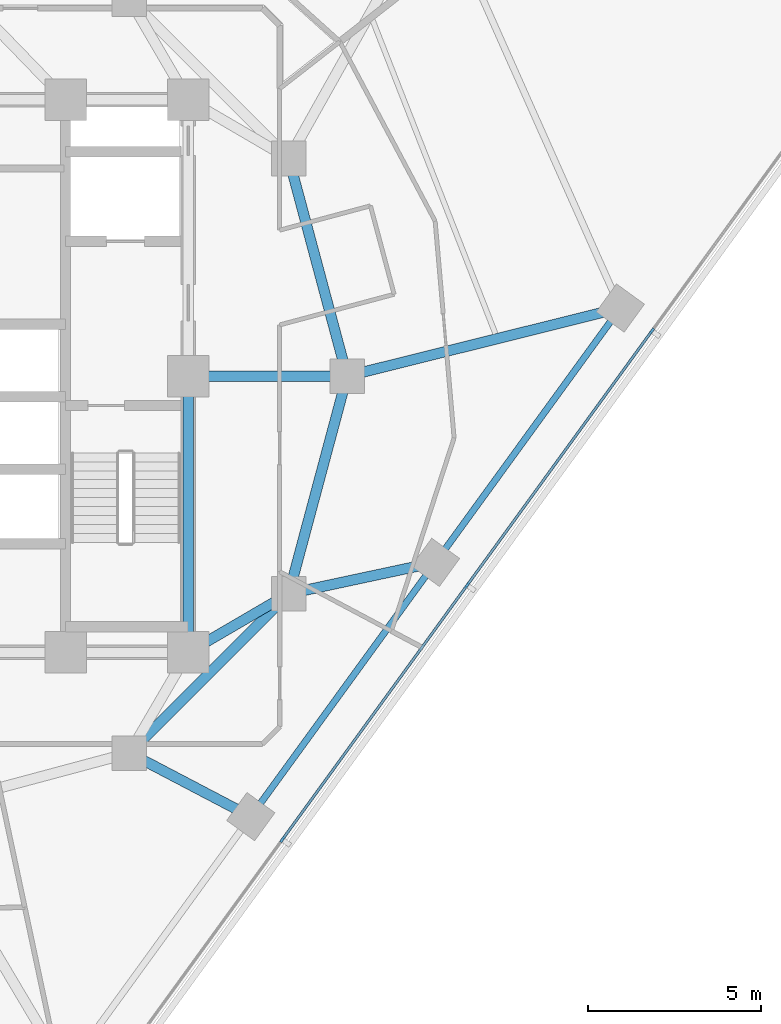
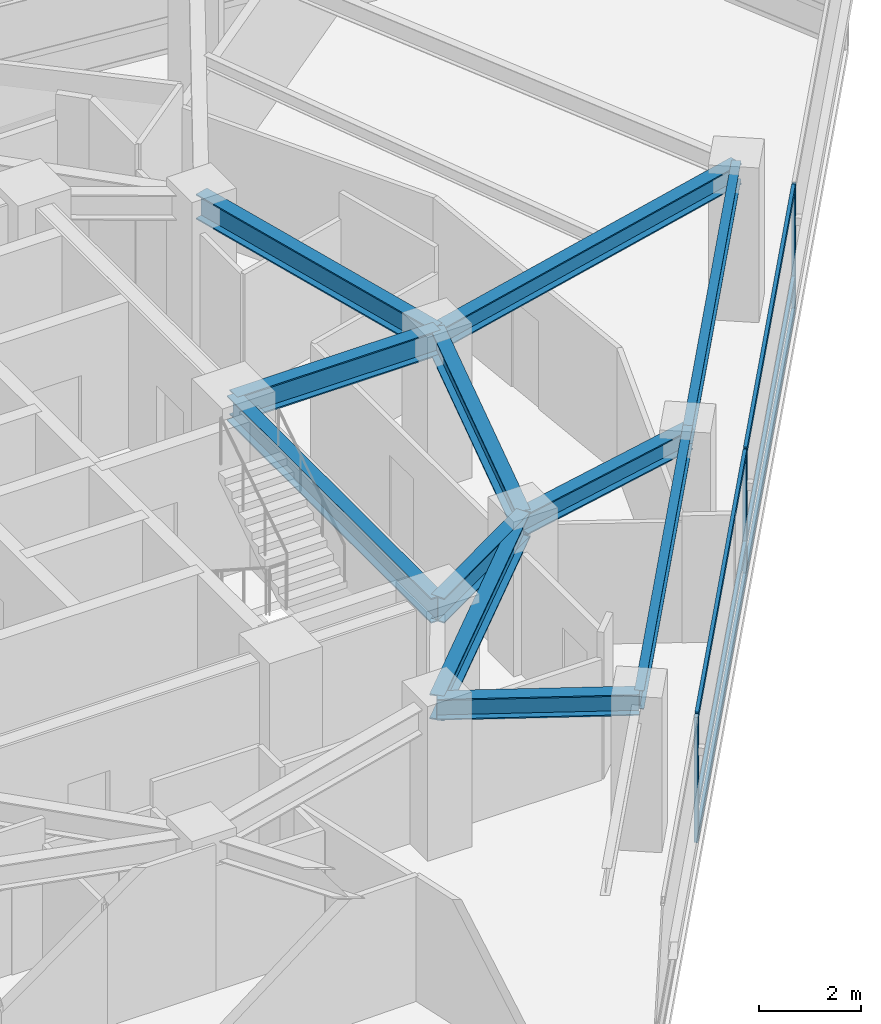
# One storey, part 4 of 14: 11 beams, 9 members, 1 element without a shape of its own.
"""IFC4 building model written with IfcOpenShell, lengths in metres."""

import ifcopenshell
import ifcopenshell.guid

model = None  # the IFC model being written
_history = None  # IfcOwnerHistory: only IFC2X3 demands one
_inside = {}  # id of a spatial element -> (the spatial element, [elements in it])
_under = {}  # id of a project, library or spatial element -> (it, [spatial elements below it])
_declared = {}  # id of a project -> (the project, [libraries it declares])
_typed = {}  # id of a type object -> (the type object, [elements of that type])
_made_of = {}  # id of a material, layer set ... -> (it, [elements and type objects made of it])


def new_model(schema):
    """Start an empty IFC model of exactly this schema.

    Asked for "IFC4X3", IfcOpenShell would pick the latest addendum, in which some entities
    have other attributes; the version numbers below select the first issue.
    IFC2X3 requires an IfcOwnerHistory on every rooted entity: one is made here for all.
    """
    global model, _history
    if schema == "IFC4X3":
        model = ifcopenshell.file(schema_version=(4, 3, 0, 0))
    else:
        model = ifcopenshell.file(schema=schema)
    _inside.clear()
    _under.clear()
    _declared.clear()
    _typed.clear()
    _made_of.clear()
    _history = None
    if model.schema == "IFC2X3":
        org = make("IfcOrganization", Name="unknown")
        user = make(
            "IfcPersonAndOrganization",
            ThePerson=make("IfcPerson", FamilyName="unknown"),
            TheOrganization=org,
        )
        app = make(
            "IfcApplication",
            ApplicationDeveloper=org,
            Version="unknown",
            ApplicationFullName="unknown",
            ApplicationIdentifier="unknown",
        )
        _history = make(
            "IfcOwnerHistory",
            OwningUser=user,
            OwningApplication=app,
            ChangeAction="ADDED",
            CreationDate=0,
        )
    return model


def make(cls, **values):
    """One entity of the class cls with the attributes given. An attribute that is None is left unset."""
    return model.create_entity(
        cls, **{name: value for name, value in values.items() if value is not None}
    )


def rooted(cls, **values):
    """An entity with a GlobalId (a new one), such as an element, a storey or a relation."""
    return make(cls, GlobalId=ifcopenshell.guid.new(), OwnerHistory=_history, **values)


def si_unit(unit_type, name, prefix=None):
    """IfcSIUnit, for example si_unit("LENGTHUNIT", "METRE", prefix="MILLI")."""
    return make("IfcSIUnit", UnitType=unit_type, Prefix=prefix, Name=name)


def assignment(units):
    """IfcUnitAssignment: the units of a project."""
    return None if units is None else make("IfcUnitAssignment", Units=units)


def point(xyz):
    """IfcCartesianPoint."""
    return None if xyz is None else make("IfcCartesianPoint", Coordinates=xyz)


def direction(xyz):
    """IfcDirection."""
    return None if xyz is None else make("IfcDirection", DirectionRatios=xyz)


def frame(location, z_axis=None, x_axis=None):
    """IfcAxis2Placement3D, a coordinate frame: its origin and axes. An axis left out is left unset."""
    return make(
        "IfcAxis2Placement3D",
        Location=point(location),
        Axis=direction(z_axis),
        RefDirection=direction(x_axis),
    )


def frame_2d(location, x_axis=None):
    """IfcAxis2Placement2D, a coordinate frame in the plane: its origin and x axis."""
    return make(
        "IfcAxis2Placement2D", Location=point(location), RefDirection=direction(x_axis)
    )


def origin():
    """The frame at (0, 0, 0) with its axes left unset."""
    return frame((0.0, 0.0, 0.0))


def origin_2d():
    """The frame at (0, 0) in the plane with its x axis left unset."""
    return frame_2d((0.0, 0.0))


def place(relative_to, where):
    """IfcLocalPlacement: puts the frame where relative to a parent placement (None: the world)."""
    return make(
        "IfcLocalPlacement", PlacementRelTo=relative_to, RelativePlacement=where
    )


def context(
    kind, dimensions, precision=None, world=None, true_north=None, identifier=None
):
    """IfcGeometricRepresentationContext, for example the 3D "Model" context."""
    return make(
        "IfcGeometricRepresentationContext",
        ContextIdentifier=identifier,
        ContextType=kind,
        CoordinateSpaceDimension=dimensions,
        Precision=precision,
        WorldCoordinateSystem=world,
        TrueNorth=true_north,
    )


def subcontext(parent, identifier, kind, view, scale=None):
    """IfcGeometricRepresentationSubContext, for example "Body" below "Model"."""
    return make(
        "IfcGeometricRepresentationSubContext",
        ContextIdentifier=identifier,
        ContextType=kind,
        ParentContext=parent,
        TargetScale=scale,
        TargetView=view,
    )


def project(units=None, contexts=None):
    """IfcProject with its units and contexts."""
    return rooted(
        "IfcProject",
        Name="project",
        RepresentationContexts=contexts,
        UnitsInContext=assignment(units),
    )


def spatial(cls, under=None, at=None, **own):
    """A site, building, storey or space (cls), placed at a placement, below another one or the project."""
    s = rooted(cls, ObjectPlacement=at, **own)
    if under is not None:
        _under.setdefault(under.id(), (under, []))[1].append(s)
    return s


def profile(cls, at=None, kind="AREA", **sizes):
    """A parametric profile (cls). Its sizes go by their IFC names, for example OverallWidth=200.0."""
    return make(cls, ProfileType=kind, Position=at, **sizes)


def rectangle(**sizes):
    """IfcRectangleProfileDef."""
    return profile("IfcRectangleProfileDef", **sizes)


def i_section(**sizes):
    """IfcIShapeProfileDef."""
    return profile("IfcIShapeProfileDef", **sizes)


def extrude(swept, where, along, depth):
    """IfcExtrudedAreaSolid: the profile swept, set in the frame where, extruded along a direction by depth."""
    return make(
        "IfcExtrudedAreaSolid",
        SweptArea=swept,
        Position=where,
        ExtrudedDirection=direction(along),
        Depth=depth,
    )


def shape(context_of_items, identifier, shape_type, items):
    """IfcShapeRepresentation: the items that make up one representation, for example the "Body"."""
    return make(
        "IfcShapeRepresentation",
        ContextOfItems=context_of_items,
        RepresentationIdentifier=identifier,
        RepresentationType=shape_type,
        Items=items,
    )


def material(Name=None, Category=None):
    """IfcMaterial."""
    return make("IfcMaterial", Name=Name, Category=Category)


def layer(
    of_material, thickness, ventilated=None, Name=None, Category=None, Priority=None
):
    """IfcMaterialLayer: one layer of a wall or slab, of a material (None: an air gap)."""
    return make(
        "IfcMaterialLayer",
        Material=of_material,
        LayerThickness=thickness,
        IsVentilated=ventilated,
        Name=Name,
        Category=Category,
        Priority=Priority,
    )


def layer_set(layers, Name=None):
    """IfcMaterialLayerSet."""
    return make("IfcMaterialLayerSet", MaterialLayers=layers, LayerSetName=Name)


def material_profile(
    of_material, cross_section, Name=None, Category=None, Priority=None
):
    """IfcMaterialProfile: a cross section and its material."""
    return make(
        "IfcMaterialProfile",
        Name=Name,
        Material=of_material,
        Profile=cross_section,
        Priority=Priority,
        Category=Category,
    )


def profile_set(profiles, Name=None, composite=None):
    """IfcMaterialProfileSet."""
    return make(
        "IfcMaterialProfileSet",
        Name=Name,
        MaterialProfiles=profiles,
        CompositeProfile=composite,
    )


def made_of(thing, what):
    """Note that an element or type object is made of a material, layer set ...; save() writes the relation."""
    if what is not None:
        _made_of.setdefault(what.id(), (what, []))[1].append(thing)
    return thing


def type_object(cls, material=None, **own):
    """A type object (cls), such as IfcWallType, which elements share."""
    return made_of(rooted(cls, **own), material)


def element(
    cls,
    number,
    at=None,
    inside=None,
    cuts=None,
    type_object=None,
    material=None,
    context=None,
    identifier="Body",
    shape_type=None,
    held_by="IfcProductDefinitionShape",
    body=None,
    shapes=None,
    **own,
):
    """One element of the class cls, such as IfcWall. Its Tag is "e" and its number.

    at: its placement. inside: the storey or other place that contains it. cuts: it is an
    opening in that element (IfcRelVoidsElement). A single representation is given by context,
    identifier, shape_type and body (its items); several are given by shapes. held_by: the class
    of the entity that holds the representations. save() writes the other relations.
    """
    e = rooted(cls, Tag="e%d" % number, ObjectPlacement=at, **own)
    if body is not None:
        shapes = [shape(context, identifier, shape_type, body)]
    if shapes is not None:
        e.Representation = make(held_by, Representations=shapes)
    if inside is not None:
        _inside.setdefault(inside.id(), (inside, []))[1].append(e)
    if cuts is not None:
        rooted(
            "IfcRelVoidsElement", RelatingBuildingElement=cuts, RelatedOpeningElement=e
        )
    if type_object is not None:
        _typed.setdefault(type_object.id(), (type_object, []))[1].append(e)
    return made_of(e, material)


def aggregate(whole, parts):
    """IfcRelAggregates: a whole, such as a stair, and the parts it consists of."""
    return rooted("IfcRelAggregates", RelatingObject=whole, RelatedObjects=parts)


def save(model, path):
    """Write the relations noted so far, then the file.

    IfcRelAggregates (storeys below a building ...), IfcRelContainedInSpatialStructure (elements
    in a storey), IfcRelDefinesByType, IfcRelAssociatesMaterial and IfcRelDeclares: one each for
    every whole, place, type object, material and project.
    """
    for whole, parts in _under.values():
        aggregate(whole, parts)
    for where, things in _inside.values():
        rooted(
            "IfcRelContainedInSpatialStructure",
            RelatedElements=things,
            RelatingStructure=where,
        )
    for kind, things in _typed.values():
        rooted("IfcRelDefinesByType", RelatedObjects=things, RelatingType=kind)
    for what, things in _made_of.values():
        rooted("IfcRelAssociatesMaterial", RelatedObjects=things, RelatingMaterial=what)
    for by, libraries in _declared.values():
        rooted("IfcRelDeclares", RelatingContext=by, RelatedDefinitions=libraries)
    model.write(path)


model = new_model("IFC4")

# Units and contexts
model_context = context("Model", 3, precision=1e-05, world=origin(), true_north=direction((0.0, 1.0)))
body_context = subcontext(model_context, "Body", "Model", "MODEL_VIEW")
ifc_project = project(units=[si_unit("LENGTHUNIT", "METRE"), si_unit("AREAUNIT", "SQUARE_METRE"), si_unit("VOLUMEUNIT", "CUBIC_METRE"), si_unit("PLANEANGLEUNIT", "RADIAN"), si_unit("MASSUNIT", "GRAM", prefix="KILO")], contexts=[model_context])

# Site, building, storey
site_placement = place(None, origin())
site = spatial("IfcSite", under=ifc_project, at=site_placement, CompositionType="ELEMENT")
building_placement = place(site_placement, origin())
building = spatial("IfcBuilding", under=site, at=building_placement, Name="Terralouvre Media Tower", CompositionType="ELEMENT")
storey_placement = place(building_placement, frame((0.0, 0.0, 218.89990234375)))
storey = spatial("IfcBuildingStorey", under=building, at=storey_placement, Name="L56", CompositionType="ELEMENT", Elevation=218.89990234375)

# Curtain wall, members
ifc_material_1 = material(Name="Low-iron laminated double glazing with solar-control coating", Category="glass")
ifc_layer = layer(ifc_material_1, 0.1650390625, Name="Upper Executive Tower Curtain Wall CW-05")
ifc_layer_set = layer_set([ifc_layer], Name="Low-iron laminated double glazing with solar-control coating")
curtain_wall_type = type_object("IfcCurtainWallType", Name="Upper Executive Tower Curtain Wall CW-05", PredefinedType="NOTDEFINED", material=ifc_layer_set)
curtain_wall_placement = place(storey_placement, origin())
curtain_wall = element("IfcCurtainWall", 1, at=curtain_wall_placement, inside=storey, type_object=curtain_wall_type, Name="L56 Facade Curtain Wall F0", PredefinedType="NOTDEFINED")
ifc_material_2 = material(Name="Anodised extruded aluminium 6063-T6", Category="aluminium")
ifc_material_profile_1 = material_profile(ifc_material_2, rectangle(XDim=0.074951171875, YDim=0.14990234375, at=origin_2d()), Name="ALU 75x150")
ifc_profile_set_1 = profile_set([ifc_material_profile_1], Name="Anodised extruded aluminium 6063-T6")
member_type_1 = type_object("IfcMemberType", Name="Curtain-Wall Horizontal Transom TR-150", PredefinedType="USERDEFINED", material=ifc_profile_set_1)
member_1_placement = place(storey_placement, frame((10.748779296875, -13.38720703125, 0.03759765625), z_axis=(0.587772727709, 0.809026093869, 0.0), x_axis=(-0.809026093869, 0.587772727709, 0.0)))
member_1 = element("IfcMember", 2, at=member_1_placement, type_object=member_type_1, Name="CW-05 transom 3.1", ObjectType="TRANSOM", PredefinedType="USERDEFINED", context=body_context, shape_type="SweptSolid", body=[
    extrude(rectangle(XDim=0.074951171875, YDim=0.14990234375, at=origin_2d()), origin(), (0.0, 0.0, 1.0), 9.025146484375),
])
member_2_placement = place(storey_placement, frame((10.748779296875, -13.38720703125, 0.800048828125), z_axis=(0.587772727709, 0.809026093869, 0.0), x_axis=(-0.809026093869, 0.587772727709, 0.0)))
member_2 = element("IfcMember", 3, at=member_2_placement, type_object=member_type_1, Name="CW-05 transom 3.2", ObjectType="TRANSOM", PredefinedType="USERDEFINED", context=body_context, shape_type="SweptSolid", body=[
    extrude(rectangle(XDim=0.074951171875, YDim=0.14990234375, at=origin_2d()), origin(), (0.0, 0.0, 1.0), 9.025146484375),
])
member_3_placement = place(storey_placement, frame((10.748779296875, -13.38720703125, 2.962646484375), z_axis=(0.587772727709, 0.809026093869, 0.0), x_axis=(-0.809026093869, 0.587772727709, 0.0)))
member_3 = element("IfcMember", 4, at=member_3_placement, type_object=member_type_1, Name="CW-05 transom 3.3", ObjectType="TRANSOM", PredefinedType="USERDEFINED", context=body_context, shape_type="SweptSolid", body=[
    extrude(rectangle(XDim=0.074951171875, YDim=0.14990234375, at=origin_2d()), origin(), (0.0, 0.0, 1.0), 9.025146484375),
])
member_4_placement = place(storey_placement, frame((16.09765625, -6.025146484375, 0.03759765625), z_axis=(0.587772727709, 0.809026093869, 0.0), x_axis=(-0.809026093869, 0.587772727709, 0.0)))
member_4 = element("IfcMember", 5, at=member_4_placement, type_object=member_type_1, Name="CW-05 transom 4.1", ObjectType="TRANSOM", PredefinedType="USERDEFINED", context=body_context, shape_type="SweptSolid", body=[
    extrude(rectangle(XDim=0.074951171875, YDim=0.14990234375, at=origin_2d()), origin(), (0.0, 0.0, 1.0), 9.025146484375),
])
member_5_placement = place(storey_placement, frame((16.09765625, -6.025146484375, 0.800048828125), z_axis=(0.587772727709, 0.809026093869, 0.0), x_axis=(-0.809026093869, 0.587772727709, 0.0)))
member_5 = element("IfcMember", 6, at=member_5_placement, type_object=member_type_1, Name="CW-05 transom 4.2", ObjectType="TRANSOM", PredefinedType="USERDEFINED", context=body_context, shape_type="SweptSolid", body=[
    extrude(rectangle(XDim=0.074951171875, YDim=0.14990234375, at=origin_2d()), origin(), (0.0, 0.0, 1.0), 9.025146484375),
])
member_6_placement = place(storey_placement, frame((16.09765625, -6.025146484375, 2.962646484375), z_axis=(0.587772727709, 0.809026093869, 0.0), x_axis=(-0.809026093869, 0.587772727709, 0.0)))
member_6 = element("IfcMember", 7, at=member_6_placement, type_object=member_type_1, Name="CW-05 transom 4.3", ObjectType="TRANSOM", PredefinedType="USERDEFINED", context=body_context, shape_type="SweptSolid", body=[
    extrude(rectangle(XDim=0.074951171875, YDim=0.14990234375, at=origin_2d()), origin(), (0.0, 0.0, 1.0), 9.025146484375),
])
ifc_material_3 = material(Name="Anodised extruded aluminium 6063-T6", Category="aluminium")
ifc_material_profile_2 = material_profile(ifc_material_3, rectangle(XDim=0.074951171875, YDim=0.179931640625, at=origin_2d()), Name="ALU 75x180")
ifc_profile_set_2 = profile_set([ifc_material_profile_2], Name="Anodised extruded aluminium 6063-T6")
member_type_2 = type_object("IfcMemberType", Name="Curtain-Wall Vertical Mullion ML-180", PredefinedType="MULLION", material=ifc_profile_set_2)
member_7_placement = place(storey_placement, frame((10.726806640625, -13.41748046875, 0.0), z_axis=(0.0, 0.0, 1.0), x_axis=(-0.809016959074, 0.587785300879, 0.0)))
member_7 = element("IfcMember", 8, at=member_7_placement, type_object=member_type_2, Name="CW-05 mullion 3", PredefinedType="MULLION", context=body_context, shape_type="SweptSolid", body=[
    extrude(rectangle(XDim=0.074951171875, YDim=0.179931640625, at=origin_2d()), origin(), (0.0, 0.0, 1.0), 3.0),
])
member_8_placement = place(storey_placement, frame((16.075439453125, -6.055419921875, 0.0), z_axis=(0.0, 0.0, 1.0), x_axis=(-0.809016959074, 0.587785300879, 0.0)))
member_8 = element("IfcMember", 9, at=member_8_placement, type_object=member_type_2, Name="CW-05 mullion 4", PredefinedType="MULLION", context=body_context, shape_type="SweptSolid", body=[
    extrude(rectangle(XDim=0.074951171875, YDim=0.179931640625, at=origin_2d()), origin(), (0.0, 0.0, 1.0), 3.0),
])
member_9_placement = place(storey_placement, frame((21.42431640625, 1.306640625, 0.0), z_axis=(0.0, 0.0, 1.0), x_axis=(-0.809016959074, 0.587785300879, 0.0)))
member_9 = element("IfcMember", 10, at=member_9_placement, type_object=member_type_2, Name="CW-05 mullion 5", PredefinedType="MULLION", context=body_context, shape_type="SweptSolid", body=[
    extrude(rectangle(XDim=0.074951171875, YDim=0.179931640625, at=origin_2d()), origin(), (0.0, 0.0, 1.0), 3.0),
])
aggregate(curtain_wall, [member_7, member_8, member_9, member_1, member_2, member_3, member_4, member_5, member_6])

# Beams
ifc_material_4 = material(Name="Structural steel S355J2", Category="steel")
ifc_material_profile_3 = material_profile(ifc_material_4, i_section(OverallWidth=0.18994140625, OverallDepth=0.449951171875, WebThickness=0.009521484375, FlangeThickness=0.0146484375, at=origin_2d()), Name="IPE 450")
ifc_profile_set_3 = profile_set([ifc_material_profile_3], Name="Structural steel S355J2")
beam_type_1 = type_object("IfcBeamType", Name="Perimeter Spandrel Beam SPB-450 (IPE 450)", PredefinedType="SPANDREL", material=ifc_profile_set_3)
for number, where, z_axis, x_axis, name in (
    (11, (9.8125, -12.75341796875, 3.275146484375), (0.587787185033, 0.809015590153, 0.0), (-0.809015590153, 0.587787185033, 0.0), "L56 Framing Beam BM-L56-PR05"),
    (12, (15.161376953125, -5.391357421875, 3.275146484375), (0.587787185033, 0.809015590153, 0.0), (-0.809015590153, 0.587787185033, 0.0), "L56 Framing Beam BM-L56-PR06"),
):
    element("IfcBeam", number, at=place(storey_placement, frame(where, z_axis=z_axis, x_axis=x_axis)), inside=storey, type_object=beam_type_1, Name=name, PredefinedType="SPANDREL", context=body_context, shape_type="SweptSolid", body=[
        extrude(i_section(OverallWidth=0.18994140625, OverallDepth=0.449951171875, WebThickness=0.009521484375, FlangeThickness=0.0146484375, at=origin_2d()), origin(), (0.0, 0.0, 1.0), 9.10009765625),
    ])
ifc_material_5 = material(Name="Structural steel S355J2", Category="steel")
ifc_material_profile_4 = material_profile(ifc_material_5, i_section(OverallWidth=0.300048828125, OverallDepth=0.5, WebThickness=0.014404296875, FlangeThickness=0.028076171875, at=origin_2d()), Name="HEB 500")
ifc_profile_set_4 = profile_set([ifc_material_profile_4], Name="Structural steel S355J2")
beam_type_2 = type_object("IfcBeamType", Name="Primary Floor Girder B-HEB500 (HEB 500)", PredefinedType="BEAM", material=ifc_profile_set_4)
beam_1_placement = place(storey_placement, frame((6.300048828125, -10.911865234375, 3.25), z_axis=(0.885655556229, -0.464342799794, 0.0), x_axis=(0.464342799794, 0.885655556229, 0.0)))
element("IfcBeam", 13, at=beam_1_placement, inside=storey, type_object=beam_type_2, Name="L56 Framing Beam BM-L56-RD05", PredefinedType="BEAM", context=body_context, shape_type="SweptSolid", body=[
    extrude(i_section(OverallWidth=0.300048828125, OverallDepth=0.5, WebThickness=0.014404296875, FlangeThickness=0.028076171875, at=origin_2d()), origin(), (0.0, 0.0, 1.0), 3.9658203125),
])
beam_2_placement = place(storey_placement, frame((10.911865234375, -6.300048828125, 3.25), z_axis=(0.977892761282, 0.209107023871, 0.0), x_axis=(-0.209107023871, 0.977892761282, 0.0)))
element("IfcBeam", 14, at=beam_2_placement, inside=storey, type_object=beam_type_2, Name="L56 Framing Beam BM-L56-RD06", PredefinedType="BEAM", context=body_context, shape_type="SweptSolid", body=[
    extrude(i_section(OverallWidth=0.300048828125, OverallDepth=0.5, WebThickness=0.014404296875, FlangeThickness=0.028076171875, at=origin_2d()), origin(), (0.0, 0.0, 1.0), 4.345458984375),
])
beam_3_placement = place(storey_placement, frame((12.60009765625, 0.0, 3.25), z_axis=(0.970339488521, 0.24174630714, 0.0), x_axis=(-0.24174630714, 0.970339488521, 0.0)))
element("IfcBeam", 15, at=beam_3_placement, inside=storey, type_object=beam_type_2, Name="L56 Framing Beam BM-L56-RD07", PredefinedType="BEAM", context=body_context, shape_type="SweptSolid", body=[
    extrude(i_section(OverallWidth=0.300048828125, OverallDepth=0.5, WebThickness=0.014404296875, FlangeThickness=0.028076171875, at=origin_2d()), origin(), (0.0, 0.0, 1.0), 8.15185546875),
])
ifc_material_6 = material(Name="Structural steel S460M", Category="steel")
ifc_material_profile_5 = material_profile(ifc_material_6, i_section(OverallWidth=0.300048828125, OverallDepth=0.60009765625, WebThickness=0.015380859375, FlangeThickness=0.030029296875, at=origin_2d()), Name="HEB 600")
ifc_profile_set_5 = profile_set([ifc_material_profile_5], Name="Structural steel S460M")
beam_type_3 = type_object("IfcBeamType", Name="Primary Floor Girder B-HEB600 (HEB 600)", PredefinedType="BEAM", material=ifc_profile_set_5)
beam_4_placement = place(storey_placement, frame((8.0, -8.0, 3.2001953125), z_axis=(0.0, 1.0, 0.0), x_axis=(-1.0, 0.0, 0.0)))
element("IfcBeam", 16, at=beam_4_placement, inside=storey, type_object=beam_type_3, Name="L56 Framing Beam BM-L56-CPR04", PredefinedType="BEAM", context=body_context, shape_type="SweptSolid", body=[
    extrude(i_section(OverallWidth=0.300048828125, OverallDepth=0.60009765625, WebThickness=0.015380859375, FlangeThickness=0.030029296875, at=origin_2d()), origin(), (0.0, 0.0, 1.0), 8.0),
])
beam_5_placement = place(storey_placement, frame((6.300048828125, -10.911865234375, 3.2001953125), z_axis=(0.707106781187, 0.707106781187, 0.0), x_axis=(-0.707106781187, 0.707106781187, 0.0)))
element("IfcBeam", 17, at=beam_5_placement, inside=storey, type_object=beam_type_3, Name="L56 Framing Beam BM-L56-MR04", PredefinedType="BEAM", context=body_context, shape_type="SweptSolid", body=[
    extrude(i_section(OverallWidth=0.300048828125, OverallDepth=0.60009765625, WebThickness=0.015380859375, FlangeThickness=0.030029296875, at=origin_2d()), origin(), (0.0, 0.0, 1.0), 6.52197265625),
])
for number, where, z_axis, x_axis, name in (
    (18, (10.911865234375, -6.300048828125, 3.2001953125), (0.258838989821, 0.965920481897, 0.0), (-0.965920481897, 0.258838989821, 0.0), "L56 Framing Beam BM-L56-MR05"),
    (19, (12.60009765625, 0.0, 3.2001953125), (-0.258838989821, 0.965920481897, 0.0), (-0.965920481897, -0.258838989821, 0.0), "L56 Framing Beam BM-L56-MR06"),
):
    element("IfcBeam", number, at=place(storey_placement, frame(where, z_axis=z_axis, x_axis=x_axis)), inside=storey, type_object=beam_type_3, Name=name, PredefinedType="BEAM", context=body_context, shape_type="SweptSolid", body=[
        extrude(i_section(OverallWidth=0.300048828125, OverallDepth=0.60009765625, WebThickness=0.015380859375, FlangeThickness=0.030029296875, at=origin_2d()), origin(), (0.0, 0.0, 1.0), 6.522216796875),
    ])
beam_6_placement = place(storey_placement, frame((8.0, -8.0, 3.2001953125), z_axis=(0.863602894532, 0.504172629717, 0.0), x_axis=(-0.504172629717, 0.863602894532, 0.0)))
element("IfcBeam", 20, at=beam_6_placement, inside=storey, type_object=beam_type_3, Name="L56 Framing Beam BM-L56-CM05", PredefinedType="BEAM", context=body_context, shape_type="SweptSolid", body=[
    extrude(i_section(OverallWidth=0.300048828125, OverallDepth=0.60009765625, WebThickness=0.015380859375, FlangeThickness=0.030029296875, at=origin_2d()), origin(), (0.0, 0.0, 1.0), 3.371826171875),
])
beam_7_placement = place(storey_placement, frame((8.0, 0.0, 3.2001953125), z_axis=(1.0, 0.0, 0.0), x_axis=(0.0, 1.0, 0.0)))
element("IfcBeam", 21, at=beam_7_placement, inside=storey, type_object=beam_type_3, Name="L56 Framing Beam BM-L56-CM06", PredefinedType="BEAM", context=body_context, shape_type="SweptSolid", body=[
    extrude(i_section(OverallWidth=0.300048828125, OverallDepth=0.60009765625, WebThickness=0.015380859375, FlangeThickness=0.030029296875, at=origin_2d()), origin(), (0.0, 0.0, 1.0), 4.60009765625),
])

save(model, "model.ifc")
